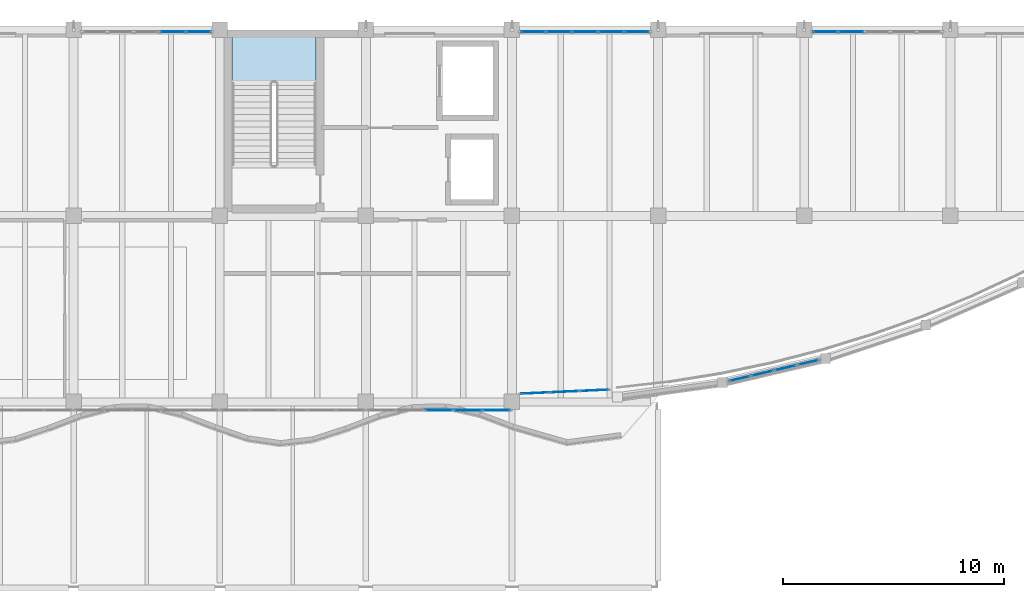
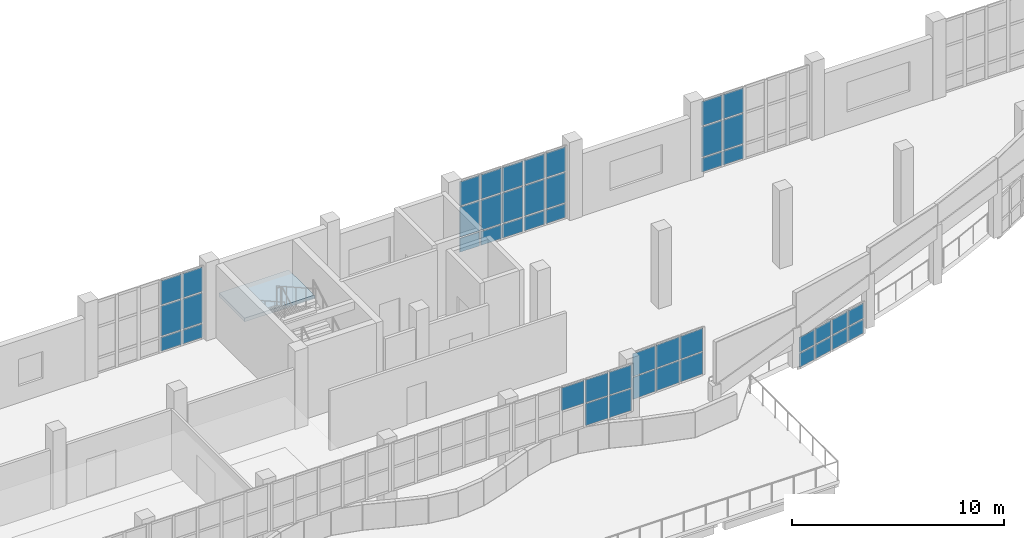
# One storey, part 42 of 83: 46 plates, 1 slab, 7 elements without a shape of their own.
"""IFC4 building model written with IfcOpenShell, lengths in metres."""

import ifcopenshell
import ifcopenshell.guid

model = None  # the IFC model being written
_history = None  # IfcOwnerHistory: only IFC2X3 demands one
_inside = {}  # id of a spatial element -> (the spatial element, [elements in it])
_under = {}  # id of a project, library or spatial element -> (it, [spatial elements below it])
_declared = {}  # id of a project -> (the project, [libraries it declares])
_typed = {}  # id of a type object -> (the type object, [elements of that type])
_made_of = {}  # id of a material, layer set ... -> (it, [elements and type objects made of it])


def new_model(schema):
    """Start an empty IFC model of exactly this schema.

    Asked for "IFC4X3", IfcOpenShell would pick the latest addendum, in which some entities
    have other attributes; the version numbers below select the first issue.
    IFC2X3 requires an IfcOwnerHistory on every rooted entity: one is made here for all.
    """
    global model, _history
    if schema == "IFC4X3":
        model = ifcopenshell.file(schema_version=(4, 3, 0, 0))
    else:
        model = ifcopenshell.file(schema=schema)
    _inside.clear()
    _under.clear()
    _declared.clear()
    _typed.clear()
    _made_of.clear()
    _history = None
    if model.schema == "IFC2X3":
        org = make("IfcOrganization", Name="unknown")
        user = make(
            "IfcPersonAndOrganization",
            ThePerson=make("IfcPerson", FamilyName="unknown"),
            TheOrganization=org,
        )
        app = make(
            "IfcApplication",
            ApplicationDeveloper=org,
            Version="unknown",
            ApplicationFullName="unknown",
            ApplicationIdentifier="unknown",
        )
        _history = make(
            "IfcOwnerHistory",
            OwningUser=user,
            OwningApplication=app,
            ChangeAction="ADDED",
            CreationDate=0,
        )
    return model


def make(cls, **values):
    """One entity of the class cls with the attributes given. An attribute that is None is left unset."""
    return model.create_entity(
        cls, **{name: value for name, value in values.items() if value is not None}
    )


def rooted(cls, **values):
    """An entity with a GlobalId (a new one), such as an element, a storey or a relation."""
    return make(cls, GlobalId=ifcopenshell.guid.new(), OwnerHistory=_history, **values)


def si_unit(unit_type, name, prefix=None):
    """IfcSIUnit, for example si_unit("LENGTHUNIT", "METRE", prefix="MILLI")."""
    return make("IfcSIUnit", UnitType=unit_type, Prefix=prefix, Name=name)


def assignment(units):
    """IfcUnitAssignment: the units of a project."""
    return None if units is None else make("IfcUnitAssignment", Units=units)


def point(xyz):
    """IfcCartesianPoint."""
    return None if xyz is None else make("IfcCartesianPoint", Coordinates=xyz)


def direction(xyz):
    """IfcDirection."""
    return None if xyz is None else make("IfcDirection", DirectionRatios=xyz)


def frame(location, z_axis=None, x_axis=None):
    """IfcAxis2Placement3D, a coordinate frame: its origin and axes. An axis left out is left unset."""
    return make(
        "IfcAxis2Placement3D",
        Location=point(location),
        Axis=direction(z_axis),
        RefDirection=direction(x_axis),
    )


def frame_2d(location, x_axis=None):
    """IfcAxis2Placement2D, a coordinate frame in the plane: its origin and x axis."""
    return make(
        "IfcAxis2Placement2D", Location=point(location), RefDirection=direction(x_axis)
    )


def origin():
    """The frame at (0, 0, 0) with its axes left unset."""
    return frame((0.0, 0.0, 0.0))


def origin_2d():
    """The frame at (0, 0) in the plane with its x axis left unset."""
    return frame_2d((0.0, 0.0))


def place(relative_to, where):
    """IfcLocalPlacement: puts the frame where relative to a parent placement (None: the world)."""
    return make(
        "IfcLocalPlacement", PlacementRelTo=relative_to, RelativePlacement=where
    )


def context(
    kind, dimensions, precision=None, world=None, true_north=None, identifier=None
):
    """IfcGeometricRepresentationContext, for example the 3D "Model" context."""
    return make(
        "IfcGeometricRepresentationContext",
        ContextIdentifier=identifier,
        ContextType=kind,
        CoordinateSpaceDimension=dimensions,
        Precision=precision,
        WorldCoordinateSystem=world,
        TrueNorth=true_north,
    )


def subcontext(parent, identifier, kind, view, scale=None):
    """IfcGeometricRepresentationSubContext, for example "Body" below "Model"."""
    return make(
        "IfcGeometricRepresentationSubContext",
        ContextIdentifier=identifier,
        ContextType=kind,
        ParentContext=parent,
        TargetScale=scale,
        TargetView=view,
    )


def project(units=None, contexts=None):
    """IfcProject with its units and contexts."""
    return rooted(
        "IfcProject",
        Name="project",
        RepresentationContexts=contexts,
        UnitsInContext=assignment(units),
    )


def spatial(cls, under=None, at=None, **own):
    """A site, building, storey or space (cls), placed at a placement, below another one or the project."""
    s = rooted(cls, ObjectPlacement=at, **own)
    if under is not None:
        _under.setdefault(under.id(), (under, []))[1].append(s)
    return s


def polyline(points):
    """IfcPolyline through the points."""
    return make("IfcPolyline", Points=[point(p) for p in points])


def profile(cls, at=None, kind="AREA", **sizes):
    """A parametric profile (cls). Its sizes go by their IFC names, for example OverallWidth=200.0."""
    return make(cls, ProfileType=kind, Position=at, **sizes)


def rectangle(**sizes):
    """IfcRectangleProfileDef."""
    return profile("IfcRectangleProfileDef", **sizes)


def outline(outer, holes=None, kind="AREA"):
    """IfcArbitraryClosedProfileDef: a profile drawn as a closed curve; with holes, ...WithVoids."""
    if holes is None:
        return make("IfcArbitraryClosedProfileDef", ProfileType=kind, OuterCurve=outer)
    return make(
        "IfcArbitraryProfileDefWithVoids",
        ProfileType=kind,
        OuterCurve=outer,
        InnerCurves=holes,
    )


def extrude(swept, where, along, depth):
    """IfcExtrudedAreaSolid: the profile swept, set in the frame where, extruded along a direction by depth."""
    return make(
        "IfcExtrudedAreaSolid",
        SweptArea=swept,
        Position=where,
        ExtrudedDirection=direction(along),
        Depth=depth,
    )


def shape(context_of_items, identifier, shape_type, items):
    """IfcShapeRepresentation: the items that make up one representation, for example the "Body"."""
    return make(
        "IfcShapeRepresentation",
        ContextOfItems=context_of_items,
        RepresentationIdentifier=identifier,
        RepresentationType=shape_type,
        Items=items,
    )


def material(Name=None, Category=None):
    """IfcMaterial."""
    return make("IfcMaterial", Name=Name, Category=Category)


def layer(
    of_material, thickness, ventilated=None, Name=None, Category=None, Priority=None
):
    """IfcMaterialLayer: one layer of a wall or slab, of a material (None: an air gap)."""
    return make(
        "IfcMaterialLayer",
        Material=of_material,
        LayerThickness=thickness,
        IsVentilated=ventilated,
        Name=Name,
        Category=Category,
        Priority=Priority,
    )


def layer_set(layers, Name=None):
    """IfcMaterialLayerSet."""
    return make("IfcMaterialLayerSet", MaterialLayers=layers, LayerSetName=Name)


def made_of(thing, what):
    """Note that an element or type object is made of a material, layer set ...; save() writes the relation."""
    if what is not None:
        _made_of.setdefault(what.id(), (what, []))[1].append(thing)
    return thing


def type_object(cls, material=None, **own):
    """A type object (cls), such as IfcWallType, which elements share."""
    return made_of(rooted(cls, **own), material)


def element(
    cls,
    number,
    at=None,
    inside=None,
    cuts=None,
    type_object=None,
    material=None,
    context=None,
    identifier="Body",
    shape_type=None,
    held_by="IfcProductDefinitionShape",
    body=None,
    shapes=None,
    **own,
):
    """One element of the class cls, such as IfcWall. Its Tag is "e" and its number.

    at: its placement. inside: the storey or other place that contains it. cuts: it is an
    opening in that element (IfcRelVoidsElement). A single representation is given by context,
    identifier, shape_type and body (its items); several are given by shapes. held_by: the class
    of the entity that holds the representations. save() writes the other relations.
    """
    e = rooted(cls, Tag="e%d" % number, ObjectPlacement=at, **own)
    if body is not None:
        shapes = [shape(context, identifier, shape_type, body)]
    if shapes is not None:
        e.Representation = make(held_by, Representations=shapes)
    if inside is not None:
        _inside.setdefault(inside.id(), (inside, []))[1].append(e)
    if cuts is not None:
        rooted(
            "IfcRelVoidsElement", RelatingBuildingElement=cuts, RelatedOpeningElement=e
        )
    if type_object is not None:
        _typed.setdefault(type_object.id(), (type_object, []))[1].append(e)
    return made_of(e, material)


def aggregate(whole, parts):
    """IfcRelAggregates: a whole, such as a stair, and the parts it consists of."""
    return rooted("IfcRelAggregates", RelatingObject=whole, RelatedObjects=parts)


def save(model, path):
    """Write the relations noted so far, then the file.

    IfcRelAggregates (storeys below a building ...), IfcRelContainedInSpatialStructure (elements
    in a storey), IfcRelDefinesByType, IfcRelAssociatesMaterial and IfcRelDeclares: one each for
    every whole, place, type object, material and project.
    """
    for whole, parts in _under.values():
        aggregate(whole, parts)
    for where, things in _inside.values():
        rooted(
            "IfcRelContainedInSpatialStructure",
            RelatedElements=things,
            RelatingStructure=where,
        )
    for kind, things in _typed.values():
        rooted("IfcRelDefinesByType", RelatedObjects=things, RelatingType=kind)
    for what, things in _made_of.values():
        rooted("IfcRelAssociatesMaterial", RelatedObjects=things, RelatingMaterial=what)
    for by, libraries in _declared.values():
        rooted("IfcRelDeclares", RelatingContext=by, RelatedDefinitions=libraries)
    model.write(path)


model = new_model("IFC4")

# Units and contexts
model_context = context("Model", 3, precision=1e-05, world=origin(), true_north=direction((0.0, 1.0)))
body_context = subcontext(model_context, "Body", "Model", "MODEL_VIEW")
ifc_project = project(units=[si_unit("LENGTHUNIT", "METRE"), si_unit("AREAUNIT", "SQUARE_METRE"), si_unit("VOLUMEUNIT", "CUBIC_METRE"), si_unit("PLANEANGLEUNIT", "RADIAN"), si_unit("MASSUNIT", "GRAM", prefix="KILO")], contexts=[model_context])

# Site, building, storey
site_placement = place(None, origin())
site = spatial("IfcSite", under=ifc_project, at=site_placement, CompositionType="ELEMENT")
building_placement = place(site_placement, origin())
building = spatial("IfcBuilding", under=site, at=building_placement, Name="Qaldarim Faculty of Natural and Applied Sciences", CompositionType="ELEMENT")
storey_placement = place(building_placement, frame((0.0, 0.0, 5.39990234375)))
storey = spatial("IfcBuildingStorey", under=building, at=storey_placement, Name="L01", CompositionType="ELEMENT", Elevation=5.39990234375)

# Curtain wall, plates
ifc_material_1 = material(Name="Anodised aluminium AW-6063", Category="aluminium")
curtain_wall_type_1 = type_object("IfcCurtainWallType", Name="CurtainWallSystem-M1200", PredefinedType="USERDEFINED", material=ifc_material_1)
curtain_wall_1_placement = place(storey_placement, origin())
curtain_wall_1 = element("IfcCurtainWall", 1, at=curtain_wall_1_placement, inside=storey, type_object=curtain_wall_type_1, Name="Curtain wall CW-L01-N-X15Y14", ObjectType="STICK CURTAIN WALL", PredefinedType="USERDEFINED")
ifc_material_2 = material(Name="Insulated low-e double glazing", Category="glass")
ifc_layer_1 = layer(ifc_material_2, 0.031982421875)
ifc_layer_set_1 = layer_set([ifc_layer_1], Name="Insulated low-e double glazing")
plate_type_1 = type_object("IfcPlateType", Name="SolarControlGlazingPanel-32", PredefinedType="CURTAIN_PANEL", material=ifc_layer_set_1)
plate_1_placement = place(storey_placement, frame((98.04638671875, 117.52001953125, 0.070068359375), z_axis=(0.0, 0.0, 1.0), x_axis=(-1.0, 0.0, 0.0)))
plate_1 = element("IfcPlate", 2, at=plate_1_placement, type_object=plate_type_1, Name="Glazed panel 1-1 of CW-L01-N-X15Y14", PredefinedType="CURTAIN_PANEL", context=body_context, shape_type="SweptSolid", body=[
    extrude(rectangle(XDim=1.076904296875, YDim=0.031982421875, at=origin_2d()), origin(), (0.0, 0.0, 1.0), 0.794921875),
])
plate_2_placement = place(storey_placement, frame((98.04638671875, 117.52001953125, 0.93505859375), z_axis=(0.0, 0.0, 1.0), x_axis=(-1.0, 0.0, 0.0)))
plate_2 = element("IfcPlate", 3, at=plate_2_placement, type_object=plate_type_1, Name="Glazed panel 1-2 of CW-L01-N-X15Y14", PredefinedType="CURTAIN_PANEL", context=body_context, shape_type="SweptSolid", body=[
    extrude(rectangle(XDim=1.076904296875, YDim=0.031982421875, at=origin_2d()), origin(), (0.0, 0.0, 1.0), 1.72998046875),
])
plate_3_placement = place(storey_placement, frame((98.04638671875, 117.52001953125, 2.735107421875), z_axis=(0.0, 0.0, 1.0), x_axis=(-1.0, 0.0, 0.0)))
plate_3 = element("IfcPlate", 4, at=plate_3_placement, type_object=plate_type_1, Name="Glazed panel 1-3 of CW-L01-N-X15Y14", PredefinedType="CURTAIN_PANEL", context=body_context, shape_type="SweptSolid", body=[
    extrude(rectangle(XDim=1.076904296875, YDim=0.031982421875, at=origin_2d()), origin(), (0.0, 0.0, 1.0), 1.39501953125),
])
plate_4_placement = place(storey_placement, frame((96.882080078125, 117.52001953125, 0.070068359375), z_axis=(0.0, 0.0, 1.0), x_axis=(-1.0, 0.0, 0.0)))
plate_4 = element("IfcPlate", 5, at=plate_4_placement, type_object=plate_type_1, Name="Glazed panel 2-1 of CW-L01-N-X15Y14", PredefinedType="CURTAIN_PANEL", context=body_context, shape_type="SweptSolid", body=[
    extrude(rectangle(XDim=1.112060546875, YDim=0.031982421875, at=origin_2d()), origin(), (0.0, 0.0, 1.0), 0.794921875),
])
plate_5_placement = place(storey_placement, frame((96.882080078125, 117.52001953125, 0.93505859375), z_axis=(0.0, 0.0, 1.0), x_axis=(-1.0, 0.0, 0.0)))
plate_5 = element("IfcPlate", 6, at=plate_5_placement, type_object=plate_type_1, Name="Glazed panel 2-2 of CW-L01-N-X15Y14", PredefinedType="CURTAIN_PANEL", context=body_context, shape_type="SweptSolid", body=[
    extrude(rectangle(XDim=1.112060546875, YDim=0.031982421875, at=origin_2d()), origin(), (0.0, 0.0, 1.0), 1.72998046875),
])
plate_6_placement = place(storey_placement, frame((96.882080078125, 117.52001953125, 2.735107421875), z_axis=(0.0, 0.0, 1.0), x_axis=(-1.0, 0.0, 0.0)))
plate_6 = element("IfcPlate", 7, at=plate_6_placement, type_object=plate_type_1, Name="Glazed panel 2-3 of CW-L01-N-X15Y14", PredefinedType="CURTAIN_PANEL", context=body_context, shape_type="SweptSolid", body=[
    extrude(rectangle(XDim=1.112060546875, YDim=0.031982421875, at=origin_2d()), origin(), (0.0, 0.0, 1.0), 1.39501953125),
])
aggregate(curtain_wall_1, [plate_1, plate_2, plate_3, plate_4, plate_5, plate_6])

curtain_wall_2_placement = place(storey_placement, origin())
curtain_wall_2 = element("IfcCurtainWall", 8, at=curtain_wall_2_placement, inside=storey, type_object=curtain_wall_type_1, Name="Curtain wall CW-L01-N-X18Y14", ObjectType="STICK CURTAIN WALL", PredefinedType="USERDEFINED")
plate_7_placement = place(storey_placement, frame((117.846435546875, 117.52001953125, 0.070068359375), z_axis=(0.0, 0.0, 1.0), x_axis=(-1.0, 0.0, 0.0)))
plate_7 = element("IfcPlate", 9, at=plate_7_placement, type_object=plate_type_1, Name="Glazed panel 1-1 of CW-L01-N-X18Y14", PredefinedType="CURTAIN_PANEL", context=body_context, shape_type="SweptSolid", body=[
    extrude(rectangle(XDim=1.076904296875, YDim=0.031982421875, at=origin_2d()), origin(), (0.0, 0.0, 1.0), 0.794921875),
])
plate_8_placement = place(storey_placement, frame((117.846435546875, 117.52001953125, 0.93505859375), z_axis=(0.0, 0.0, 1.0), x_axis=(-1.0, 0.0, 0.0)))
plate_8 = element("IfcPlate", 10, at=plate_8_placement, type_object=plate_type_1, Name="Glazed panel 1-2 of CW-L01-N-X18Y14", PredefinedType="CURTAIN_PANEL", context=body_context, shape_type="SweptSolid", body=[
    extrude(rectangle(XDim=1.076904296875, YDim=0.031982421875, at=origin_2d()), origin(), (0.0, 0.0, 1.0), 1.72998046875),
])
plate_9_placement = place(storey_placement, frame((117.846435546875, 117.52001953125, 2.735107421875), z_axis=(0.0, 0.0, 1.0), x_axis=(-1.0, 0.0, 0.0)))
plate_9 = element("IfcPlate", 11, at=plate_9_placement, type_object=plate_type_1, Name="Glazed panel 1-3 of CW-L01-N-X18Y14", PredefinedType="CURTAIN_PANEL", context=body_context, shape_type="SweptSolid", body=[
    extrude(rectangle(XDim=1.076904296875, YDim=0.031982421875, at=origin_2d()), origin(), (0.0, 0.0, 1.0), 1.39501953125),
])
plate_10_placement = place(storey_placement, frame((116.681884765625, 117.52001953125, 0.070068359375), z_axis=(0.0, 0.0, 1.0), x_axis=(-1.0, 0.0, 0.0)))
plate_10 = element("IfcPlate", 12, at=plate_10_placement, type_object=plate_type_1, Name="Glazed panel 2-1 of CW-L01-N-X18Y14", PredefinedType="CURTAIN_PANEL", context=body_context, shape_type="SweptSolid", body=[
    extrude(rectangle(XDim=1.112060546875, YDim=0.031982421875, at=origin_2d()), origin(), (0.0, 0.0, 1.0), 0.794921875),
])
plate_11_placement = place(storey_placement, frame((116.681884765625, 117.52001953125, 0.93505859375), z_axis=(0.0, 0.0, 1.0), x_axis=(-1.0, 0.0, 0.0)))
plate_11 = element("IfcPlate", 13, at=plate_11_placement, type_object=plate_type_1, Name="Glazed panel 2-2 of CW-L01-N-X18Y14", PredefinedType="CURTAIN_PANEL", context=body_context, shape_type="SweptSolid", body=[
    extrude(rectangle(XDim=1.112060546875, YDim=0.031982421875, at=origin_2d()), origin(), (0.0, 0.0, 1.0), 1.72998046875),
])
plate_12_placement = place(storey_placement, frame((116.681884765625, 117.52001953125, 2.735107421875), z_axis=(0.0, 0.0, 1.0), x_axis=(-1.0, 0.0, 0.0)))
plate_12 = element("IfcPlate", 14, at=plate_12_placement, type_object=plate_type_1, Name="Glazed panel 2-3 of CW-L01-N-X18Y14", PredefinedType="CURTAIN_PANEL", context=body_context, shape_type="SweptSolid", body=[
    extrude(rectangle(XDim=1.112060546875, YDim=0.031982421875, at=origin_2d()), origin(), (0.0, 0.0, 1.0), 1.39501953125),
])
plate_13_placement = place(storey_placement, frame((115.5, 117.52001953125, 0.070068359375), z_axis=(0.0, 0.0, 1.0), x_axis=(-1.0, 0.0, 0.0)))
plate_13 = element("IfcPlate", 15, at=plate_13_placement, type_object=plate_type_1, Name="Glazed panel 3-1 of CW-L01-N-X18Y14", PredefinedType="CURTAIN_PANEL", context=body_context, shape_type="SweptSolid", body=[
    extrude(rectangle(XDim=1.112060546875, YDim=0.031982421875, at=origin_2d()), origin(), (0.0, 0.0, 1.0), 0.794921875),
])
plate_14_placement = place(storey_placement, frame((115.5, 117.52001953125, 0.93505859375), z_axis=(0.0, 0.0, 1.0), x_axis=(-1.0, 0.0, 0.0)))
plate_14 = element("IfcPlate", 16, at=plate_14_placement, type_object=plate_type_1, Name="Glazed panel 3-2 of CW-L01-N-X18Y14", PredefinedType="CURTAIN_PANEL", context=body_context, shape_type="SweptSolid", body=[
    extrude(rectangle(XDim=1.112060546875, YDim=0.031982421875, at=origin_2d()), origin(), (0.0, 0.0, 1.0), 1.72998046875),
])
plate_15_placement = place(storey_placement, frame((115.5, 117.52001953125, 2.735107421875), z_axis=(0.0, 0.0, 1.0), x_axis=(-1.0, 0.0, 0.0)))
plate_15 = element("IfcPlate", 17, at=plate_15_placement, type_object=plate_type_1, Name="Glazed panel 3-3 of CW-L01-N-X18Y14", PredefinedType="CURTAIN_PANEL", context=body_context, shape_type="SweptSolid", body=[
    extrude(rectangle(XDim=1.112060546875, YDim=0.031982421875, at=origin_2d()), origin(), (0.0, 0.0, 1.0), 1.39501953125),
])
plate_16_placement = place(storey_placement, frame((114.318115234375, 117.52001953125, 0.070068359375), z_axis=(0.0, 0.0, 1.0), x_axis=(-1.0, 0.0, 0.0)))
plate_16 = element("IfcPlate", 18, at=plate_16_placement, type_object=plate_type_1, Name="Glazed panel 4-1 of CW-L01-N-X18Y14", PredefinedType="CURTAIN_PANEL", context=body_context, shape_type="SweptSolid", body=[
    extrude(rectangle(XDim=1.112060546875, YDim=0.031982421875, at=origin_2d()), origin(), (0.0, 0.0, 1.0), 0.794921875),
])
plate_17_placement = place(storey_placement, frame((114.318115234375, 117.52001953125, 0.93505859375), z_axis=(0.0, 0.0, 1.0), x_axis=(-1.0, 0.0, 0.0)))
plate_17 = element("IfcPlate", 19, at=plate_17_placement, type_object=plate_type_1, Name="Glazed panel 4-2 of CW-L01-N-X18Y14", PredefinedType="CURTAIN_PANEL", context=body_context, shape_type="SweptSolid", body=[
    extrude(rectangle(XDim=1.112060546875, YDim=0.031982421875, at=origin_2d()), origin(), (0.0, 0.0, 1.0), 1.72998046875),
])
plate_18_placement = place(storey_placement, frame((114.318115234375, 117.52001953125, 2.735107421875), z_axis=(0.0, 0.0, 1.0), x_axis=(-1.0, 0.0, 0.0)))
plate_18 = element("IfcPlate", 20, at=plate_18_placement, type_object=plate_type_1, Name="Glazed panel 4-3 of CW-L01-N-X18Y14", PredefinedType="CURTAIN_PANEL", context=body_context, shape_type="SweptSolid", body=[
    extrude(rectangle(XDim=1.112060546875, YDim=0.031982421875, at=origin_2d()), origin(), (0.0, 0.0, 1.0), 1.39501953125),
])
plate_19_placement = place(storey_placement, frame((113.153564453125, 117.52001953125, 0.070068359375), z_axis=(0.0, 0.0, 1.0), x_axis=(-1.0, 0.0, 0.0)))
plate_19 = element("IfcPlate", 21, at=plate_19_placement, type_object=plate_type_1, Name="Glazed panel 5-1 of CW-L01-N-X18Y14", PredefinedType="CURTAIN_PANEL", context=body_context, shape_type="SweptSolid", body=[
    extrude(rectangle(XDim=1.076904296875, YDim=0.031982421875, at=origin_2d()), origin(), (0.0, 0.0, 1.0), 0.794921875),
])
plate_20_placement = place(storey_placement, frame((113.153564453125, 117.52001953125, 0.93505859375), z_axis=(0.0, 0.0, 1.0), x_axis=(-1.0, 0.0, 0.0)))
plate_20 = element("IfcPlate", 22, at=plate_20_placement, type_object=plate_type_1, Name="Glazed panel 5-2 of CW-L01-N-X18Y14", PredefinedType="CURTAIN_PANEL", context=body_context, shape_type="SweptSolid", body=[
    extrude(rectangle(XDim=1.076904296875, YDim=0.031982421875, at=origin_2d()), origin(), (0.0, 0.0, 1.0), 1.72998046875),
])
plate_21_placement = place(storey_placement, frame((113.153564453125, 117.52001953125, 2.735107421875), z_axis=(0.0, 0.0, 1.0), x_axis=(-1.0, 0.0, 0.0)))
plate_21 = element("IfcPlate", 23, at=plate_21_placement, type_object=plate_type_1, Name="Glazed panel 5-3 of CW-L01-N-X18Y14", PredefinedType="CURTAIN_PANEL", context=body_context, shape_type="SweptSolid", body=[
    extrude(rectangle(XDim=1.076904296875, YDim=0.031982421875, at=origin_2d()), origin(), (0.0, 0.0, 1.0), 1.39501953125),
])
aggregate(curtain_wall_2, [plate_7, plate_8, plate_9, plate_10, plate_11, plate_12, plate_13, plate_14, plate_15, plate_16, plate_17, plate_18, plate_19, plate_20, plate_21])

curtain_wall_3_placement = place(storey_placement, origin())
curtain_wall_3 = element("IfcCurtainWall", 24, at=curtain_wall_3_placement, inside=storey, type_object=curtain_wall_type_1, Name="Curtain wall CW-L01-N-X20Y14", ObjectType="STICK CURTAIN WALL", PredefinedType="USERDEFINED")
plate_22_placement = place(storey_placement, frame((127.51806640625, 117.52001953125, 0.070068359375), z_axis=(0.0, 0.0, 1.0), x_axis=(-1.0, 0.0, 0.0)))
plate_22 = element("IfcPlate", 25, at=plate_22_placement, type_object=plate_type_1, Name="Glazed panel 4-1 of CW-L01-N-X20Y14", PredefinedType="CURTAIN_PANEL", context=body_context, shape_type="SweptSolid", body=[
    extrude(rectangle(XDim=1.112060546875, YDim=0.031982421875, at=origin_2d()), origin(), (0.0, 0.0, 1.0), 0.794921875),
])
plate_23_placement = place(storey_placement, frame((127.51806640625, 117.52001953125, 0.93505859375), z_axis=(0.0, 0.0, 1.0), x_axis=(-1.0, 0.0, 0.0)))
plate_23 = element("IfcPlate", 26, at=plate_23_placement, type_object=plate_type_1, Name="Glazed panel 4-2 of CW-L01-N-X20Y14", PredefinedType="CURTAIN_PANEL", context=body_context, shape_type="SweptSolid", body=[
    extrude(rectangle(XDim=1.112060546875, YDim=0.031982421875, at=origin_2d()), origin(), (0.0, 0.0, 1.0), 1.72998046875),
])
plate_24_placement = place(storey_placement, frame((127.51806640625, 117.52001953125, 2.735107421875), z_axis=(0.0, 0.0, 1.0), x_axis=(-1.0, 0.0, 0.0)))
plate_24 = element("IfcPlate", 27, at=plate_24_placement, type_object=plate_type_1, Name="Glazed panel 4-3 of CW-L01-N-X20Y14", PredefinedType="CURTAIN_PANEL", context=body_context, shape_type="SweptSolid", body=[
    extrude(rectangle(XDim=1.112060546875, YDim=0.031982421875, at=origin_2d()), origin(), (0.0, 0.0, 1.0), 1.39501953125),
])
plate_25_placement = place(storey_placement, frame((126.353515625, 117.52001953125, 0.070068359375), z_axis=(0.0, 0.0, 1.0), x_axis=(-1.0, 0.0, 0.0)))
plate_25 = element("IfcPlate", 28, at=plate_25_placement, type_object=plate_type_1, Name="Glazed panel 5-1 of CW-L01-N-X20Y14", PredefinedType="CURTAIN_PANEL", context=body_context, shape_type="SweptSolid", body=[
    extrude(rectangle(XDim=1.076904296875, YDim=0.031982421875, at=origin_2d()), origin(), (0.0, 0.0, 1.0), 0.794921875),
])
plate_26_placement = place(storey_placement, frame((126.353515625, 117.52001953125, 0.93505859375), z_axis=(0.0, 0.0, 1.0), x_axis=(-1.0, 0.0, 0.0)))
plate_26 = element("IfcPlate", 29, at=plate_26_placement, type_object=plate_type_1, Name="Glazed panel 5-2 of CW-L01-N-X20Y14", PredefinedType="CURTAIN_PANEL", context=body_context, shape_type="SweptSolid", body=[
    extrude(rectangle(XDim=1.076904296875, YDim=0.031982421875, at=origin_2d()), origin(), (0.0, 0.0, 1.0), 1.72998046875),
])
plate_27_placement = place(storey_placement, frame((126.353515625, 117.52001953125, 2.735107421875), z_axis=(0.0, 0.0, 1.0), x_axis=(-1.0, 0.0, 0.0)))
plate_27 = element("IfcPlate", 30, at=plate_27_placement, type_object=plate_type_1, Name="Glazed panel 5-3 of CW-L01-N-X20Y14", PredefinedType="CURTAIN_PANEL", context=body_context, shape_type="SweptSolid", body=[
    extrude(rectangle(XDim=1.076904296875, YDim=0.031982421875, at=origin_2d()), origin(), (0.0, 0.0, 1.0), 1.39501953125),
])
aggregate(curtain_wall_3, [plate_22, plate_23, plate_24, plate_25, plate_26, plate_27])

curtain_wall_4_placement = place(storey_placement, origin())
curtain_wall_4 = element("IfcCurtainWall", 31, at=curtain_wall_4_placement, inside=storey, type_object=curtain_wall_type_1, Name="Curtain wall CW-PORT-TOP-2", ObjectType="STICK CURTAIN WALL", PredefinedType="USERDEFINED")
plate_28_placement = place(storey_placement, frame((122.48779296875, 101.8564453125, -0.289794921875), z_axis=(0.0, 0.0, 1.0), x_axis=(0.973415249165, 0.229047490039, 0.0)))
plate_28 = element("IfcPlate", 32, at=plate_28_placement, type_object=plate_type_1, Name="Glazed panel 1-1 of CW-PORT-TOP-2", PredefinedType="CURTAIN_PANEL", context=body_context, shape_type="SweptSolid", body=[
    extrude(rectangle(XDim=0.964599609375, YDim=0.031982421875, at=origin_2d()), origin(), (0.0, 0.0, 1.0), 0.794921875),
])
plate_29_placement = place(storey_placement, frame((122.48779296875, 101.8564453125, 0.5751953125), z_axis=(0.0, 0.0, 1.0), x_axis=(0.973415249165, 0.229047490039, 0.0)))
plate_29 = element("IfcPlate", 33, at=plate_29_placement, type_object=plate_type_1, Name="Glazed panel 1-2 of CW-PORT-TOP-2", PredefinedType="CURTAIN_PANEL", context=body_context, shape_type="SweptSolid", body=[
    extrude(rectangle(XDim=0.964599609375, YDim=0.031982421875, at=origin_2d()), origin(), (0.0, 0.0, 1.0), 0.864990234375),
])
plate_30_placement = place(storey_placement, frame((123.511962890625, 102.097412109375, -0.289794921875), z_axis=(0.0, 0.0, 1.0), x_axis=(0.973415249165, 0.229047490039, 0.0)))
plate_30 = element("IfcPlate", 34, at=plate_30_placement, type_object=plate_type_1, Name="Glazed panel 2-1 of CW-PORT-TOP-2", PredefinedType="CURTAIN_PANEL", context=body_context, shape_type="SweptSolid", body=[
    extrude(rectangle(XDim=0.999755859375, YDim=0.031982421875, at=origin_2d()), origin(), (0.0, 0.0, 1.0), 0.794921875),
])
plate_31_placement = place(storey_placement, frame((123.511962890625, 102.097412109375, 0.5751953125), z_axis=(0.0, 0.0, 1.0), x_axis=(0.973415249165, 0.229047490039, 0.0)))
plate_31 = element("IfcPlate", 35, at=plate_31_placement, type_object=plate_type_1, Name="Glazed panel 2-2 of CW-PORT-TOP-2", PredefinedType="CURTAIN_PANEL", context=body_context, shape_type="SweptSolid", body=[
    extrude(rectangle(XDim=0.999755859375, YDim=0.031982421875, at=origin_2d()), origin(), (0.0, 0.0, 1.0), 0.864990234375),
])
plate_32_placement = place(storey_placement, frame((124.552978515625, 102.342529296875, -0.289794921875), z_axis=(0.0, 0.0, 1.0), x_axis=(0.973415249165, 0.229047490039, 0.0)))
plate_32 = element("IfcPlate", 36, at=plate_32_placement, type_object=plate_type_1, Name="Glazed panel 3-1 of CW-PORT-TOP-2", PredefinedType="CURTAIN_PANEL", context=body_context, shape_type="SweptSolid", body=[
    extrude(rectangle(XDim=0.999755859375, YDim=0.031982421875, at=origin_2d()), origin(), (0.0, 0.0, 1.0), 0.794921875),
])
plate_33_placement = place(storey_placement, frame((124.552978515625, 102.342529296875, 0.5751953125), z_axis=(0.0, 0.0, 1.0), x_axis=(0.973415249165, 0.229047490039, 0.0)))
plate_33 = element("IfcPlate", 37, at=plate_33_placement, type_object=plate_type_1, Name="Glazed panel 3-2 of CW-PORT-TOP-2", PredefinedType="CURTAIN_PANEL", context=body_context, shape_type="SweptSolid", body=[
    extrude(rectangle(XDim=0.999755859375, YDim=0.031982421875, at=origin_2d()), origin(), (0.0, 0.0, 1.0), 0.864990234375),
])
plate_34_placement = place(storey_placement, frame((125.577392578125, 102.58349609375, -0.289794921875), z_axis=(0.0, 0.0, 1.0), x_axis=(0.973415249165, 0.229047490039, 0.0)))
plate_34 = element("IfcPlate", 38, at=plate_34_placement, type_object=plate_type_1, Name="Glazed panel 4-1 of CW-PORT-TOP-2", PredefinedType="CURTAIN_PANEL", context=body_context, shape_type="SweptSolid", body=[
    extrude(rectangle(XDim=0.964599609375, YDim=0.031982421875, at=origin_2d()), origin(), (0.0, 0.0, 1.0), 0.794921875),
])
plate_35_placement = place(storey_placement, frame((125.577392578125, 102.58349609375, 0.5751953125), z_axis=(0.0, 0.0, 1.0), x_axis=(0.973415249165, 0.229047490039, 0.0)))
plate_35 = element("IfcPlate", 39, at=plate_35_placement, type_object=plate_type_1, Name="Glazed panel 4-2 of CW-PORT-TOP-2", PredefinedType="CURTAIN_PANEL", context=body_context, shape_type="SweptSolid", body=[
    extrude(rectangle(XDim=0.964599609375, YDim=0.031982421875, at=origin_2d()), origin(), (0.0, 0.0, 1.0), 0.864990234375),
])
aggregate(curtain_wall_4, [plate_28, plate_29, plate_30, plate_31, plate_32, plate_33, plate_34, plate_35])

# Stair, slab
ifc_material_3 = material(Name="Concrete C40/50", Category="concrete")
stair_type = type_object("IfcStairType", Name="DoglegStair-W1800-H4500-28R", PredefinedType="HALF_TURN_STAIR", material=ifc_material_3)
stair_placement = place(storey_placement, origin())
stair = element("IfcStair", 40, at=stair_placement, inside=storey, type_object=stair_type, Name="Enclosed exit stair ST-B1 L01", PredefinedType="HALF_TURN_STAIR")
ifc_layer_2 = layer(ifc_material_3, 0.2099609375)
ifc_layer_set_2 = layer_set([ifc_layer_2], Name="Concrete C40/50")
slab_type = type_object("IfcSlabType", Name="StairLandingSlab-210", PredefinedType="LANDING", material=ifc_layer_set_2)
slab_placement = place(storey_placement, frame((0.0, 0.0, 2.0400390625)))
slab = element("IfcSlab", 41, at=slab_placement, type_object=slab_type, Name="ST-B1 L01 half-landing 1", PredefinedType="LANDING", context=body_context, shape_type="SweptSolid", body=[
    extrude(outline(polyline([(103.35009765625, 115.18994140625), (103.35009765625, 117.60009765625), (99.550048828125, 117.60009765625), (99.550048828125, 115.18994140625), (103.35009765625, 115.18994140625)])), origin(), (0.0, 0.0, 1.0), 0.2099609375),
])
aggregate(stair, [slab])

# Curtain wall, plates
curtain_wall_type_2 = type_object("IfcCurtainWallType", Name="CurtainWallSystem-M1400", PredefinedType="USERDEFINED", material=ifc_material_1)
curtain_wall_5_placement = place(storey_placement, origin())
curtain_wall_5 = element("IfcCurtainWall", 42, at=curtain_wall_5_placement, inside=storey, type_object=curtain_wall_type_2, Name="Curtain wall CW-V4RIB-L01-X17", ObjectType="STICK CURTAIN WALL", PredefinedType="USERDEFINED")
ifc_layer_3 = layer(ifc_material_2, 0.028076171875)
ifc_layer_set_3 = layer_set([ifc_layer_3], Name="Insulated low-e double glazing")
plate_type_2 = type_object("IfcPlateType", Name="VisionGlazingPanel-28", PredefinedType="CURTAIN_PANEL", material=ifc_layer_set_3)
plate_36_placement = place(storey_placement, frame((108.89990234375, 100.419921875, 2.830078125), z_axis=(0.0, 0.0, 1.0), x_axis=(1.0, 0.0, 0.0)))
plate_36 = element("IfcPlate", 43, at=plate_36_placement, type_object=plate_type_2, Name="Glazed panel 3-2 of CW-V4RIB-L01-X17", PredefinedType="CURTAIN_PANEL", context=body_context, shape_type="SweptSolid", body=[
    extrude(rectangle(XDim=1.243896484375, YDim=0.028076171875, at=origin_2d()), origin(), (0.0, 0.0, 1.0), 1.31005859375),
])
plate_37_placement = place(storey_placement, frame((110.2041015625, 100.419921875, 1.51025390625), z_axis=(0.0, 0.0, 1.0), x_axis=(1.0, 0.0, 0.0)))
plate_37 = element("IfcPlate", 44, at=plate_37_placement, type_object=plate_type_2, Name="Glazed panel 4-1 of CW-V4RIB-L01-X17", PredefinedType="CURTAIN_PANEL", context=body_context, shape_type="SweptSolid", body=[
    extrude(rectangle(XDim=1.243896484375, YDim=0.028076171875, at=origin_2d()), origin(), (0.0, 0.0, 1.0), 1.260009765625),
])
plate_38_placement = place(storey_placement, frame((110.2041015625, 100.419921875, 2.830078125), z_axis=(0.0, 0.0, 1.0), x_axis=(1.0, 0.0, 0.0)))
plate_38 = element("IfcPlate", 45, at=plate_38_placement, type_object=plate_type_2, Name="Glazed panel 4-2 of CW-V4RIB-L01-X17", PredefinedType="CURTAIN_PANEL", context=body_context, shape_type="SweptSolid", body=[
    extrude(rectangle(XDim=1.243896484375, YDim=0.028076171875, at=origin_2d()), origin(), (0.0, 0.0, 1.0), 1.31005859375),
])
plate_39_placement = place(storey_placement, frame((111.492919921875, 100.419921875, 1.51025390625), z_axis=(0.0, 0.0, 1.0), x_axis=(1.0, 0.0, 0.0)))
plate_39 = element("IfcPlate", 46, at=plate_39_placement, type_object=plate_type_2, Name="Glazed panel 5-1 of CW-V4RIB-L01-X17", PredefinedType="CURTAIN_PANEL", context=body_context, shape_type="SweptSolid", body=[
    extrude(rectangle(XDim=1.214111328125, YDim=0.028076171875, at=origin_2d()), origin(), (0.0, 0.0, 1.0), 1.260009765625),
])
plate_40_placement = place(storey_placement, frame((111.492919921875, 100.419921875, 2.830078125), z_axis=(0.0, 0.0, 1.0), x_axis=(1.0, 0.0, 0.0)))
plate_40 = element("IfcPlate", 47, at=plate_40_placement, type_object=plate_type_2, Name="Glazed panel 5-2 of CW-V4RIB-L01-X17", PredefinedType="CURTAIN_PANEL", context=body_context, shape_type="SweptSolid", body=[
    extrude(rectangle(XDim=1.214111328125, YDim=0.028076171875, at=origin_2d()), origin(), (0.0, 0.0, 1.0), 1.31005859375),
])
aggregate(curtain_wall_5, [plate_36, plate_37, plate_38, plate_39, plate_40])

curtain_wall_6_placement = place(storey_placement, origin())
curtain_wall_6 = element("IfcCurtainWall", 48, at=curtain_wall_6_placement, inside=storey, type_object=curtain_wall_type_2, Name="Curtain wall CW-V4ARC-L01-00", ObjectType="STICK CURTAIN WALL", PredefinedType="USERDEFINED")
plate_41_placement = place(storey_placement, frame((113.23828125, 101.196533203125, 1.51025390625), z_axis=(0.0, 0.0, 1.0), x_axis=(0.998953078013, 0.045746561938, 0.0)))
plate_41 = element("IfcPlate", 49, at=plate_41_placement, type_object=plate_type_2, Name="Glazed panel 1-1 of CW-V4ARC-L01-00", PredefinedType="CURTAIN_PANEL", context=body_context, shape_type="SweptSolid", body=[
    extrude(rectangle(XDim=1.258056640625, YDim=0.028076171875, at=origin_2d()), origin(), (0.0, 0.0, 1.0), 1.260009765625),
])
plate_42_placement = place(storey_placement, frame((113.23828125, 101.196533203125, 2.830078125), z_axis=(0.0, 0.0, 1.0), x_axis=(0.998953078013, 0.045746561938, 0.0)))
plate_42 = element("IfcPlate", 50, at=plate_42_placement, type_object=plate_type_2, Name="Glazed panel 1-2 of CW-V4ARC-L01-00", PredefinedType="CURTAIN_PANEL", context=body_context, shape_type="SweptSolid", body=[
    extrude(rectangle(XDim=1.258056640625, YDim=0.028076171875, at=origin_2d()), origin(), (0.0, 0.0, 1.0), 1.31005859375),
])
plate_43_placement = place(storey_placement, frame((114.570068359375, 101.257568359375, 1.51025390625), z_axis=(0.0, 0.0, 1.0), x_axis=(0.998953078013, 0.045746561938, 0.0)))
plate_43 = element("IfcPlate", 51, at=plate_43_placement, type_object=plate_type_2, Name="Glazed panel 2-1 of CW-V4ARC-L01-00", PredefinedType="CURTAIN_PANEL", context=body_context, shape_type="SweptSolid", body=[
    extrude(rectangle(XDim=1.2880859375, YDim=0.028076171875, at=origin_2d()), origin(), (0.0, 0.0, 1.0), 1.260009765625),
])
plate_44_placement = place(storey_placement, frame((114.570068359375, 101.257568359375, 2.830078125), z_axis=(0.0, 0.0, 1.0), x_axis=(0.998953078013, 0.045746561938, 0.0)))
plate_44 = element("IfcPlate", 52, at=plate_44_placement, type_object=plate_type_2, Name="Glazed panel 2-2 of CW-V4ARC-L01-00", PredefinedType="CURTAIN_PANEL", context=body_context, shape_type="SweptSolid", body=[
    extrude(rectangle(XDim=1.2880859375, YDim=0.028076171875, at=origin_2d()), origin(), (0.0, 0.0, 1.0), 1.31005859375),
])
plate_45_placement = place(storey_placement, frame((115.901611328125, 101.318603515625, 1.51025390625), z_axis=(0.0, 0.0, 1.0), x_axis=(0.998953078013, 0.045746561938, 0.0)))
plate_45 = element("IfcPlate", 53, at=plate_45_placement, type_object=plate_type_2, Name="Glazed panel 3-1 of CW-V4ARC-L01-00", PredefinedType="CURTAIN_PANEL", context=body_context, shape_type="SweptSolid", body=[
    extrude(rectangle(XDim=1.258056640625, YDim=0.028076171875, at=origin_2d()), origin(), (0.0, 0.0, 1.0), 1.260009765625),
])
plate_46_placement = place(storey_placement, frame((115.901611328125, 101.318603515625, 2.830078125), z_axis=(0.0, 0.0, 1.0), x_axis=(0.998953078013, 0.045746561938, 0.0)))
plate_46 = element("IfcPlate", 54, at=plate_46_placement, type_object=plate_type_2, Name="Glazed panel 3-2 of CW-V4ARC-L01-00", PredefinedType="CURTAIN_PANEL", context=body_context, shape_type="SweptSolid", body=[
    extrude(rectangle(XDim=1.258056640625, YDim=0.028076171875, at=origin_2d()), origin(), (0.0, 0.0, 1.0), 1.31005859375),
])
aggregate(curtain_wall_6, [plate_41, plate_42, plate_43, plate_44, plate_45, plate_46])

save(model, "model.ifc")
